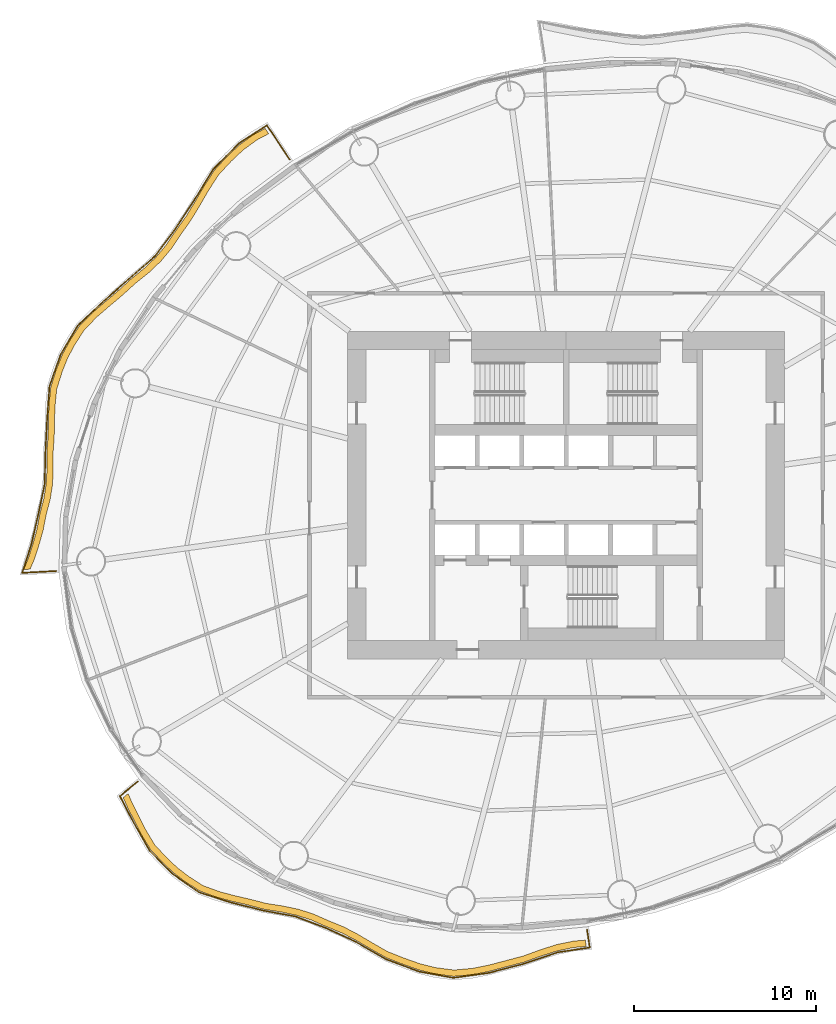
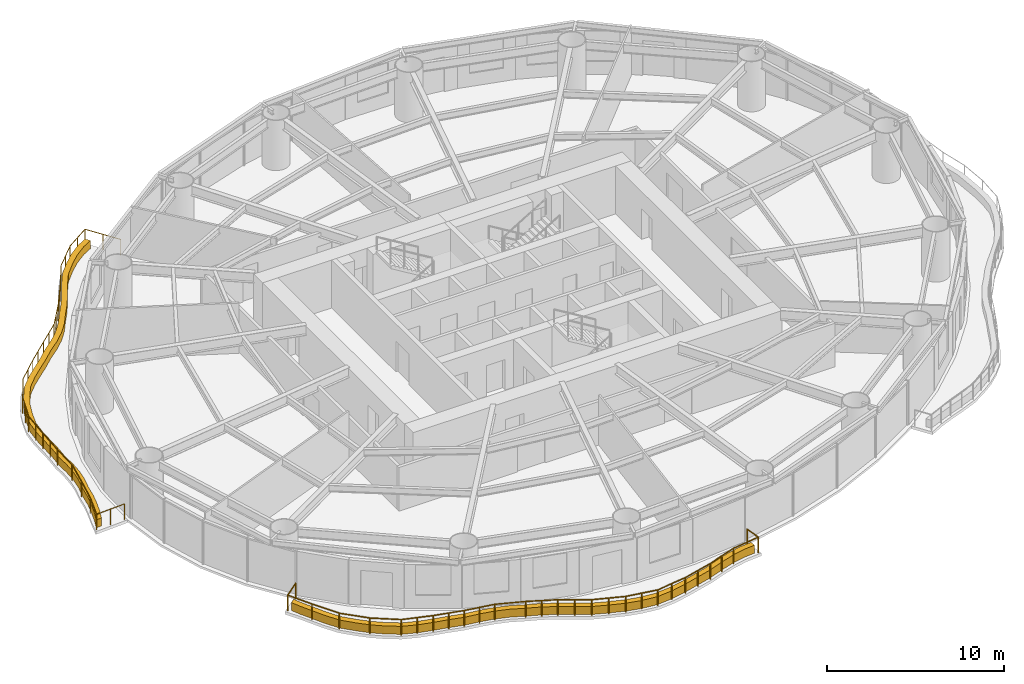
# One storey, part 12 of 14: 2 coverings, 2 railings.
"""IFC4 building model written with IfcOpenShell, lengths in metres."""

from ifc_helpers import new_model, si_unit, direction, frame, origin, origin_2d, place, context, subcontext, project, spatial, polyline, circle, outline, extrude, material, type_object, element, save


model = new_model("IFC4")

# Units and contexts
model_context = context("Model", 3, precision=1e-05, world=origin(), true_north=direction((0.0, 1.0)))
body_context = subcontext(model_context, "Body", "Model", "MODEL_VIEW")
ifc_project = project(units=[si_unit("LENGTHUNIT", "METRE"), si_unit("AREAUNIT", "SQUARE_METRE"), si_unit("VOLUMEUNIT", "CUBIC_METRE"), si_unit("PLANEANGLEUNIT", "RADIAN"), si_unit("MASSUNIT", "GRAM", prefix="KILO")], contexts=[model_context])

# Site, building, storey
site_placement = place(None, origin())
site = spatial("IfcSite", under=ifc_project, at=site_placement, CompositionType="ELEMENT")
building_placement = place(site_placement, origin())
building = spatial("IfcBuilding", under=site, at=building_placement, Name="Vermilion Reach Broadcast Tower", CompositionType="ELEMENT")
storey_placement = place(building_placement, frame((0.0, 0.0, 117.39990234375)))
storey = spatial("IfcBuildingStorey", under=building, at=storey_placement, Name="L27", CompositionType="ELEMENT", Elevation=117.39990234375)

# Coverings
ifc_material_1 = material(Name="Planting soil and greenery")
covering_type = type_object("IfcCoveringType", Name="Balcony PLANTER", PredefinedType="USERDEFINED", material=ifc_material_1)
placement = place(storey_placement, origin())
element("IfcCovering", 1, at=placement, inside=storey, type_object=covering_type, Name="PLANTER L27 group 2", ObjectType="PLANTER", PredefinedType="USERDEFINED", context=body_context, shape_type="SweptSolid", body=[
    extrude(outline(polyline([(-22.540283203125, 20.152099609375), (-23.204833984375, 19.799072265625), (-23.94384765625, 19.2568359375), (-24.617919921875, 18.62744140625), (-25.333984375, 17.851806640625), (-25.90771484375, 16.96826171875), (-26.37890625, 16.15185546875), (-26.8642578125, 15.350341796875), (-27.440185546875, 14.545654296875), (-27.97509765625, 13.7509765625), (-28.54296875, 13.073486328125), (-29.188232421875, 12.46142578125), (-29.952880859375, 11.842529296875), (-30.66943359375, 11.181396484375), (-31.361083984375, 10.60205078125), (-32.04150390625, 10.015380859375), (-32.7626953125, 9.279296875), (-33.30322265625, 8.442138671875), (-33.699951171875, 7.699462890625), (-34.0126953125, 6.916015625), (-34.3154296875, 5.958740234375), (-34.421875, 4.97119140625), (-34.44677734375, 4.116943359375), (-34.465576171875, 3.2607421875), (-34.53857421875, 2.322509765625), (-34.52880859375, 1.412841796875), (-34.5732421875, 0.608642578125), (-34.69873046875, -0.181396484375), (-34.921630859375, -1.039794921875), (-35.08447265625, -1.903564453125), (-35.301513671875, -2.681640625), (-35.55126953125, -3.459228515625), (-35.803955078125, -4.08642578125), (-35.45458984375, -4.06787109375), (-35.201416015625, -3.467529296875), (-34.95166015625, -2.690185546875), (-34.734619140625, -1.912109375), (-34.5732421875, -1.074462890625), (-34.353759765625, -0.24169921875), (-34.228515625, 0.54833984375), (-34.18408203125, 1.3525390625), (-34.198974609375, 2.238037109375), (-34.1328125, 3.15234375), (-34.114013671875, 4.00830078125), (-34.089111328125, 4.862548828125), (-33.99072265625, 5.827880859375), (-33.69775390625, 6.763427734375), (-33.384765625, 7.546875), (-32.988037109375, 8.289794921875), (-32.458251953125, 9.10693359375), (-31.74853515625, 9.823974609375), (-31.068115234375, 10.410400390625), (-30.37646484375, 10.98974609375), (-29.672119140625, 11.633544921875), (-28.920654296875, 12.235595703125), (-28.275634765625, 12.84765625), (-27.70751953125, 13.525146484375), (-27.1865234375, 14.3046875), (-26.625, 15.094970703125), (-26.1396484375, 15.896240234375), (-25.66845703125, 16.712646484375), (-25.109375, 17.583251953125), (-24.408935546875, 18.3466796875), (-23.73486328125, 18.97607421875), (-22.995849609375, 19.518310546875), (-22.346923828125, 19.8603515625), (-22.540283203125, 20.152099609375)])), origin(), (0.0, 0.0, 1.0), 0.550048828125),
])
element("IfcCovering", 2, at=placement, inside=storey, type_object=covering_type, Name="PLANTER L27 group 3", ObjectType="PLANTER", PredefinedType="USERDEFINED", context=body_context, shape_type="SweptSolid", body=[
    extrude(outline(polyline([(-30.33740234375, -16.623046875), (-30.08544921875, -17.192138671875), (-29.715576171875, -17.921875), (-29.34423828125, -18.649658203125), (-28.838134765625, -19.47705078125), (-28.169921875, -20.189453125), (-27.587158203125, -20.7431640625), (-26.953125, -21.230712890625), (-26.136474609375, -21.75634765625), (-25.197265625, -22.1025390625), (-24.37646484375, -22.318359375), (-23.542236328125, -22.510009765625), (-22.622802734375, -22.7548828125), (-21.66943359375, -22.908203125), (-20.833251953125, -23.08447265625), (-20.02880859375, -23.33935546875), (-19.19482421875, -23.706787109375), (-18.32275390625, -24.0595703125), (-17.537109375, -24.46923828125), (-16.76416015625, -24.926513671875), (-15.88134765625, -25.427001953125), (-14.92138671875, -25.801025390625), (-14.069580078125, -26.100830078125), (-13.206298828125, -26.314697265625), (-12.1884765625, -26.447265625), (-11.142333984375, -26.356201171875), (-10.2373046875, -26.174560546875), (-9.33154296875, -25.9345703125), (-8.3349609375, -25.676513671875), (-7.357421875, -25.324462890625), (-6.4638671875, -25.044189453125), (-5.561279296875, -24.85693359375), (-4.887939453125, -24.8017578125), (-4.941162109375, -24.455810546875), (-5.59521484375, -24.508544921875), (-6.497802734375, -24.69580078125), (-7.391357421875, -24.97607421875), (-8.34912109375, -25.326904296875), (-9.326171875, -25.584716796875), (-10.23193359375, -25.82470703125), (-11.136962890625, -26.006103515625), (-12.16259765625, -26.098388671875), (-13.16015625, -25.9677734375), (-14.0234375, -25.75390625), (-14.875244140625, -25.4541015625), (-15.814208984375, -25.083740234375), (-16.676025390625, -24.587890625), (-17.448974609375, -24.130615234375), (-18.234619140625, -23.720703125), (-19.085205078125, -23.374267578125), (-19.89794921875, -23.0146484375), (-20.70263671875, -22.759765625), (-21.538818359375, -22.58349609375), (-22.470458984375, -22.439697265625), (-23.368896484375, -22.205810546875), (-24.203125, -22.01416015625), (-25.02392578125, -21.798583984375), (-25.94189453125, -21.46533203125), (-26.738525390625, -20.954345703125), (-27.37255859375, -20.466552734375), (-27.955322265625, -19.9130859375), (-28.603515625, -19.21728515625), (-29.0908203125, -18.408203125), (-29.46240234375, -17.680419921875), (-29.83203125, -16.95068359375), (-30.066162109375, -16.40185546875), (-30.33740234375, -16.623046875)])), origin(), (0.0, 0.0, 1.0), 0.550048828125),
])

# Railings
ifc_material_2 = material(Name="Stainless steel 316 balustrade", Category="steel")
railing_type = type_object("IfcRailingType", Name="Balcony guard 1100", PredefinedType="BALUSTRADE", material=ifc_material_2)
railing_1_placement = place(storey_placement, frame((-21.1962890625, 18.448486328125, 0.0)))
element("IfcRailing", 3, at=railing_1_placement, inside=storey, type_object=railing_type, Name="Balcony guard L27 group 2", PredefinedType="BALUSTRADE", context=body_context, shape_type="SweptSolid", body=[
    extrude(circle(Radius=0.02490234375, at=origin_2d()), frame((0.0, 0.0, 1.0751953125), z_axis=(-0.552271461955, 0.833664340313, 0.0), x_axis=(-0.833664340313, -0.552271461955, 0.0)), (0.0, 0.0, 1.0), 2.25244140625),
    extrude(circle(Radius=0.02490234375, at=origin_2d()), frame((-1.243896484375, 1.877685546875, 1.0751953125), z_axis=(-0.839272401974, -0.54371116899, 0.0), x_axis=(0.54371116899, -0.839272401974, 0.0)), (0.0, 0.0, 1.0), 1.8486328125),
    extrude(circle(Radius=0.02490234375, at=origin_2d()), frame((-2.79541015625, 0.87255859375, 1.0751953125), z_axis=(-0.703523434162, -0.710672060507, 0.0), x_axis=(0.710672060507, -0.703523434162, 0.0)), (0.0, 0.0, 1.0), 1.980712890625),
    extrude(circle(Radius=0.02490234375, at=origin_2d()), frame((-4.18896484375, -0.53515625, 1.0751953125), z_axis=(-0.524192777597, -0.851599631233, 0.0), x_axis=(0.851599631233, -0.524192777597, 0.0)), (0.0, 0.0, 1.0), 2.0),
    extrude(circle(Radius=0.02490234375, at=origin_2d()), frame((-5.2373046875, -2.23828125, 1.0751953125), z_axis=(-0.551747854663, -0.834010974074, 0.0), x_axis=(0.834010974074, -0.551747854663, 0.0)), (0.0, 0.0, 1.0), 1.9296875),
    extrude(circle(Radius=0.02490234375, at=origin_2d()), frame((-6.302001953125, -3.84765625, 1.0751953125), z_axis=(-0.59959745636, -0.800301749546, 0.0), x_axis=(0.800301749546, -0.59959745636, 0.0)), (0.0, 0.0, 1.0), 1.843994140625),
    extrude(circle(Radius=0.02490234375, at=origin_2d()), frame((-7.40771484375, -5.323486328125, 1.0751953125), z_axis=(-0.753060075804, -0.657951762844, 0.0), x_axis=(0.657951762844, -0.753060075804, 0.0)), (0.0, 0.0, 1.0), 1.87646484375),
    extrude(circle(Radius=0.02490234375, at=origin_2d()), frame((-8.82080078125, -6.55810546875, 1.0751953125), z_axis=(-0.749909802137, -0.661540088475, 0.0), x_axis=(0.661540088475, -0.749909802137, 0.0)), (0.0, 0.0, 1.0), 1.88134765625),
    extrude(circle(Radius=0.02490234375, at=origin_2d()), frame((-10.231689453125, -7.802734375, 1.0751953125), z_axis=(-0.72691152589, -0.686731121712, 0.0), x_axis=(0.686731121712, -0.72691152589, 0.0)), (0.0, 0.0, 1.0), 1.93212890625),
    extrude(circle(Radius=0.02490234375, at=origin_2d()), frame((-11.63623046875, -9.129638671875, 1.0751953125), z_axis=(-0.509947687203, -0.860205415186, 0.0), x_axis=(0.860205415186, -0.509947687203, 0.0)), (0.0, 0.0, 1.0), 1.84228515625),
    extrude(circle(Radius=0.02490234375, at=origin_2d()), frame((-12.57568359375, -10.71435546875, 1.0751953125), z_axis=(-0.333620118177, -0.942707598754, 0.0), x_axis=(0.942707598754, -0.333620118177, 0.0)), (0.0, 0.0, 1.0), 1.851318359375),
    extrude(circle(Radius=0.02490234375, at=origin_2d()), frame((-13.193359375, -12.459716796875, 1.0751953125), z_axis=(-0.071856071542, -0.997415011408, 0.0), x_axis=(0.997415011408, -0.071856071542, 0.0)), (0.0, 0.0, 1.0), 1.851806640625),
    extrude(circle(Radius=0.02490234375, at=origin_2d()), frame((-13.326416015625, -14.306640625, 1.0751953125), z_axis=(-0.051883363666, -0.998653151287, 0.0), x_axis=(0.998653151287, -0.051883363666, 0.0)), (0.0, 0.0, 1.0), 1.80224609375),
    extrude(circle(Radius=0.02490234375, at=origin_2d()), frame((-13.419921875, -16.1064453125, 1.0751953125), z_axis=(-0.020864281747, -0.999782317181, 0.0), x_axis=(0.999782317181, -0.020864281747, 0.0)), (0.0, 0.0, 1.0), 1.72021484375),
    extrude(circle(Radius=0.02490234375, at=origin_2d()), frame((-13.455810546875, -17.826171875, 1.0751953125), z_axis=(-0.206490765298, -0.978448549412, 0.0), x_axis=(0.978448549412, -0.206490765298, 0.0)), (0.0, 0.0, 1.0), 1.690673828125),
    extrude(circle(Radius=0.02490234375, at=origin_2d()), frame((-13.804931640625, -19.48046875, 1.0751953125), z_axis=(-0.224901676972, -0.974381463132, 0.0), x_axis=(0.974381463132, -0.224901676972, 0.0)), (0.0, 0.0, 1.0), 1.691162109375),
    extrude(circle(Radius=0.02490234375, at=origin_2d()), frame((-14.185302734375, -21.12841796875, 1.0751953125), z_axis=(-0.303475297159, -0.952839306502, 0.0), x_axis=(0.952839306502, -0.303475297159, 0.0)), (0.0, 0.0, 1.0), 1.669189453125),
    extrude(circle(Radius=0.02490234375, at=origin_2d()), frame((-14.69189453125, -22.718994140625, 1.0751953125), z_axis=(0.998589578665, 0.053092875051, 0.0), x_axis=(-0.053092875051, 0.998589578665, 0.0)), (0.0, 0.0, 1.0), 1.87158203125),
    extrude(circle(Radius=0.02490234375, at=origin_2d()), origin(), (0.0, 0.0, 1.0), 1.050048828125),
    extrude(circle(Radius=0.02490234375, at=origin_2d()), frame((-0.6220703125, 0.93896484375, 0.0)), (0.0, 0.0, 1.0), 1.050048828125),
    extrude(circle(Radius=0.02490234375, at=origin_2d()), frame((-1.243896484375, 1.877685546875, 0.0)), (0.0, 0.0, 1.0), 1.050048828125),
    extrude(circle(Radius=0.02490234375, at=origin_2d()), frame((-2.01953125, 1.375, 0.0)), (0.0, 0.0, 1.0), 1.050048828125),
    extrude(circle(Radius=0.02490234375, at=origin_2d()), frame((-2.79541015625, 0.87255859375, 0.0)), (0.0, 0.0, 1.0), 1.050048828125),
    extrude(circle(Radius=0.02490234375, at=origin_2d()), frame((-3.4921875, 0.168701171875, 0.0)), (0.0, 0.0, 1.0), 1.050048828125),
    extrude(circle(Radius=0.02490234375, at=origin_2d()), frame((-4.18896484375, -0.53515625, 0.0)), (0.0, 0.0, 1.0), 1.050048828125),
    extrude(circle(Radius=0.02490234375, at=origin_2d()), frame((-4.713134765625, -1.38671875, 0.0)), (0.0, 0.0, 1.0), 1.050048828125),
    extrude(circle(Radius=0.02490234375, at=origin_2d()), frame((-5.2373046875, -2.23828125, 0.0)), (0.0, 0.0, 1.0), 1.050048828125),
    extrude(circle(Radius=0.02490234375, at=origin_2d()), frame((-5.76953125, -3.04296875, 0.0)), (0.0, 0.0, 1.0), 1.050048828125),
    extrude(circle(Radius=0.02490234375, at=origin_2d()), frame((-6.302001953125, -3.84765625, 0.0)), (0.0, 0.0, 1.0), 1.050048828125),
    extrude(circle(Radius=0.02490234375, at=origin_2d()), frame((-6.85498046875, -4.58544921875, 0.0)), (0.0, 0.0, 1.0), 1.050048828125),
    extrude(circle(Radius=0.02490234375, at=origin_2d()), frame((-7.40771484375, -5.323486328125, 0.0)), (0.0, 0.0, 1.0), 1.050048828125),
    extrude(circle(Radius=0.02490234375, at=origin_2d()), frame((-8.1142578125, -5.94091796875, 0.0)), (0.0, 0.0, 1.0), 1.050048828125),
    extrude(circle(Radius=0.02490234375, at=origin_2d()), frame((-8.82080078125, -6.55810546875, 0.0)), (0.0, 0.0, 1.0), 1.050048828125),
    extrude(circle(Radius=0.02490234375, at=origin_2d()), frame((-9.5263671875, -7.180419921875, 0.0)), (0.0, 0.0, 1.0), 1.050048828125),
    extrude(circle(Radius=0.02490234375, at=origin_2d()), frame((-10.231689453125, -7.802734375, 0.0)), (0.0, 0.0, 1.0), 1.050048828125),
    extrude(circle(Radius=0.02490234375, at=origin_2d()), frame((-10.93408203125, -8.46630859375, 0.0)), (0.0, 0.0, 1.0), 1.050048828125),
    extrude(circle(Radius=0.02490234375, at=origin_2d()), frame((-11.63623046875, -9.129638671875, 0.0)), (0.0, 0.0, 1.0), 1.050048828125),
    extrude(circle(Radius=0.02490234375, at=origin_2d()), frame((-12.10595703125, -9.921875, 0.0)), (0.0, 0.0, 1.0), 1.050048828125),
    extrude(circle(Radius=0.02490234375, at=origin_2d()), frame((-12.57568359375, -10.71435546875, 0.0)), (0.0, 0.0, 1.0), 1.050048828125),
    extrude(circle(Radius=0.02490234375, at=origin_2d()), frame((-12.884521484375, -11.5869140625, 0.0)), (0.0, 0.0, 1.0), 1.050048828125),
    extrude(circle(Radius=0.02490234375, at=origin_2d()), frame((-13.193359375, -12.459716796875, 0.0)), (0.0, 0.0, 1.0), 1.050048828125),
    extrude(circle(Radius=0.02490234375, at=origin_2d()), frame((-13.259765625, -13.38330078125, 0.0)), (0.0, 0.0, 1.0), 1.050048828125),
    extrude(circle(Radius=0.02490234375, at=origin_2d()), frame((-13.326416015625, -14.306640625, 0.0)), (0.0, 0.0, 1.0), 1.050048828125),
    extrude(circle(Radius=0.02490234375, at=origin_2d()), frame((-13.373046875, -15.20654296875, 0.0)), (0.0, 0.0, 1.0), 1.050048828125),
    extrude(circle(Radius=0.02490234375, at=origin_2d()), frame((-13.419921875, -16.1064453125, 0.0)), (0.0, 0.0, 1.0), 1.050048828125),
    extrude(circle(Radius=0.02490234375, at=origin_2d()), frame((-13.455810546875, -17.826171875, 0.0)), (0.0, 0.0, 1.0), 1.050048828125),
    extrude(circle(Radius=0.02490234375, at=origin_2d()), frame((-13.804931640625, -19.48046875, 0.0)), (0.0, 0.0, 1.0), 1.050048828125),
    extrude(circle(Radius=0.02490234375, at=origin_2d()), frame((-14.185302734375, -21.12841796875, 0.0)), (0.0, 0.0, 1.0), 1.050048828125),
    extrude(circle(Radius=0.02490234375, at=origin_2d()), frame((-14.69189453125, -22.718994140625, 0.0)), (0.0, 0.0, 1.0), 1.050048828125),
    extrude(circle(Radius=0.02490234375, at=origin_2d()), frame((-13.75732421875, -22.66943359375, 0.0)), (0.0, 0.0, 1.0), 1.050048828125),
    extrude(circle(Radius=0.02490234375, at=origin_2d()), frame((-12.822998046875, -22.61962890625, 0.0)), (0.0, 0.0, 1.0), 1.050048828125),
])
railing_2_placement = place(storey_placement, frame((-29.547607421875, -15.74755859375, 0.0)))
element("IfcRailing", 4, at=railing_2_placement, inside=storey, type_object=railing_type, Name="Balcony guard L27 group 3", PredefinedType="BALUSTRADE", context=body_context, shape_type="SweptSolid", body=[
    extrude(circle(Radius=0.02490234375, at=origin_2d()), frame((0.0, 0.0, 1.0751953125), z_axis=(-0.775027453857, -0.631927563703, 0.0), x_axis=(0.631927563703, -0.775027453857, 0.0)), (0.0, 0.0, 1.0), 1.259033203125),
    extrude(circle(Radius=0.02490234375, at=origin_2d()), frame((-0.975830078125, -0.795654296875, 1.0751953125), z_axis=(0.463375404679, -0.886162081303, 0.0), x_axis=(0.886162081303, 0.463375404679, 0.0)), (0.0, 0.0, 1.0), 1.617919921875),
    extrude(circle(Radius=0.02490234375, at=origin_2d()), frame((-0.22607421875, -2.2294921875, 1.0751953125), z_axis=(0.492259327043, -0.870448594082, 0.0), x_axis=(0.870448594082, 0.492259327043, 0.0)), (0.0, 0.0, 1.0), 1.79150390625),
    extrude(circle(Radius=0.02490234375, at=origin_2d()), frame((0.65576171875, -3.788818359375, 1.0751953125), z_axis=(0.70313089894, -0.711060432703, 0.0), x_axis=(0.711060432703, 0.70313089894, 0.0)), (0.0, 0.0, 1.0), 1.78564453125),
    extrude(circle(Radius=0.02490234375, at=origin_2d()), frame((1.911376953125, -5.05859375, 1.0751953125), z_axis=(0.819793630667, -0.572659063596, 0.0), x_axis=(0.572659063596, 0.819793630667, 0.0)), (0.0, 0.0, 1.0), 1.775146484375),
    extrude(circle(Radius=0.02490234375, at=origin_2d()), frame((3.36669921875, -6.0751953125, 1.0751953125), z_axis=(0.952396608452, -0.3048617723, 0.0), x_axis=(0.3048617723, 0.952396608452, 0.0)), (0.0, 0.0, 1.0), 1.85302734375),
    extrude(circle(Radius=0.02490234375, at=origin_2d()), frame((5.131591796875, -6.64013671875, 1.0751953125), z_axis=(0.970190026632, -0.242345439865, 0.0), x_axis=(0.242345439865, 0.970190026632, 0.0)), (0.0, 0.0, 1.0), 1.812255859375),
    extrude(circle(Radius=0.02490234375, at=origin_2d()), frame((6.889892578125, -7.079345703125, 1.0751953125), z_axis=(0.983332536324, -0.181816179165, 0.0), x_axis=(0.181816179165, 0.983332536324, 0.0)), (0.0, 0.0, 1.0), 1.824951171875),
    extrude(circle(Radius=0.02490234375, at=origin_2d()), frame((8.684326171875, -7.4111328125, 1.0751953125), z_axis=(0.934883146909, -0.354955633319, 0.0), x_axis=(0.354955633319, 0.934883146909, 0.0)), (0.0, 0.0, 1.0), 1.758056640625),
    extrude(circle(Radius=0.02490234375, at=origin_2d()), frame((10.327880859375, -8.03515625, 1.0751953125), z_axis=(0.908598840054, -0.417669902977, 0.0), x_axis=(0.417669902977, 0.908598840054, 0.0)), (0.0, 0.0, 1.0), 1.82958984375),
    extrude(circle(Radius=0.02490234375, at=origin_2d()), frame((11.990234375, -8.79931640625, 1.0751953125), z_axis=(0.866032930823, -0.499986962561, 0.0), x_axis=(0.499986962561, 0.866032930823, 0.0)), (0.0, 0.0, 1.0), 1.91748046875),
    extrude(circle(Radius=0.02490234375, at=origin_2d()), frame((13.65087890625, -9.758056640625, 1.0751953125), z_axis=(0.937458165046, -0.348097958611, 0.0), x_axis=(0.348097958611, 0.937458165046, 0.0)), (0.0, 0.0, 1.0), 1.937744140625),
    extrude(circle(Radius=0.02490234375, at=origin_2d()), frame((15.467529296875, -10.4326171875, 1.0751953125), z_axis=(0.983494951825, -0.180935567911, 0.0), x_axis=(0.180935567911, 0.983494951825, 0.0)), (0.0, 0.0, 1.0), 1.91748046875),
    extrude(circle(Radius=0.02490234375, at=origin_2d()), frame((17.353271484375, -10.779541015625, 1.0751953125), z_axis=(0.990433212274, 0.137992941935, 0.0), x_axis=(-0.137992941935, 0.990433212274, 0.0)), (0.0, 0.0, 1.0), 1.974365234375),
    extrude(circle(Radius=0.02490234375, at=origin_2d()), frame((19.308837890625, -10.507080078125, 1.0751953125), z_axis=(0.967554109039, 0.252663899442, 0.0), x_axis=(-0.252663899442, 0.967554109039, 0.0)), (0.0, 0.0, 1.0), 1.97119140625),
    extrude(circle(Radius=0.02490234375, at=origin_2d()), frame((21.216064453125, -10.009033203125, 1.0751953125), z_axis=(0.947517501659, 0.319703900586, 0.0), x_axis=(-0.319703900586, 0.947517501659, 0.0)), (0.0, 0.0, 1.0), 1.9794921875),
    extrude(circle(Radius=0.02490234375, at=origin_2d()), frame((23.091552734375, -9.376220703125, 1.0751953125), z_axis=(0.989214515365, 0.146474033846, 0.0), x_axis=(-0.146474033846, 0.989214515365, 0.0)), (0.0, 0.0, 1.0), 1.778564453125),
    extrude(circle(Radius=0.02490234375, at=origin_2d()), frame((24.850830078125, -9.11572265625, 1.0751953125), z_axis=(-0.151654098619, 0.98843362669, 0.0), x_axis=(-0.98843362669, -0.151654098619, 0.0)), (0.0, 0.0, 1.0), 1.001220703125),
    extrude(circle(Radius=0.02490234375, at=origin_2d()), origin(), (0.0, 0.0, 1.0), 1.050048828125),
    extrude(circle(Radius=0.02490234375, at=origin_2d()), frame((-0.975830078125, -0.795654296875, 0.0)), (0.0, 0.0, 1.0), 1.050048828125),
    extrude(circle(Radius=0.02490234375, at=origin_2d()), frame((-0.22607421875, -2.2294921875, 0.0)), (0.0, 0.0, 1.0), 1.050048828125),
    extrude(circle(Radius=0.02490234375, at=origin_2d()), frame((0.65576171875, -3.788818359375, 0.0)), (0.0, 0.0, 1.0), 1.050048828125),
    extrude(circle(Radius=0.02490234375, at=origin_2d()), frame((1.911376953125, -5.05859375, 0.0)), (0.0, 0.0, 1.0), 1.050048828125),
    extrude(circle(Radius=0.02490234375, at=origin_2d()), frame((3.36669921875, -6.0751953125, 0.0)), (0.0, 0.0, 1.0), 1.050048828125),
    extrude(circle(Radius=0.02490234375, at=origin_2d()), frame((4.2490234375, -6.357666015625, 0.0)), (0.0, 0.0, 1.0), 1.050048828125),
    extrude(circle(Radius=0.02490234375, at=origin_2d()), frame((5.131591796875, -6.64013671875, 0.0)), (0.0, 0.0, 1.0), 1.050048828125),
    extrude(circle(Radius=0.02490234375, at=origin_2d()), frame((6.0107421875, -6.85986328125, 0.0)), (0.0, 0.0, 1.0), 1.050048828125),
    extrude(circle(Radius=0.02490234375, at=origin_2d()), frame((6.889892578125, -7.079345703125, 0.0)), (0.0, 0.0, 1.0), 1.050048828125),
    extrude(circle(Radius=0.02490234375, at=origin_2d()), frame((7.787109375, -7.2451171875, 0.0)), (0.0, 0.0, 1.0), 1.050048828125),
    extrude(circle(Radius=0.02490234375, at=origin_2d()), frame((8.684326171875, -7.4111328125, 0.0)), (0.0, 0.0, 1.0), 1.050048828125),
    extrude(circle(Radius=0.02490234375, at=origin_2d()), frame((10.327880859375, -8.03515625, 0.0)), (0.0, 0.0, 1.0), 1.050048828125),
    extrude(circle(Radius=0.02490234375, at=origin_2d()), frame((11.1591796875, -8.417236328125, 0.0)), (0.0, 0.0, 1.0), 1.050048828125),
    extrude(circle(Radius=0.02490234375, at=origin_2d()), frame((11.990234375, -8.79931640625, 0.0)), (0.0, 0.0, 1.0), 1.050048828125),
    extrude(circle(Radius=0.02490234375, at=origin_2d()), frame((12.820556640625, -9.27880859375, 0.0)), (0.0, 0.0, 1.0), 1.050048828125),
    extrude(circle(Radius=0.02490234375, at=origin_2d()), frame((13.65087890625, -9.758056640625, 0.0)), (0.0, 0.0, 1.0), 1.050048828125),
    extrude(circle(Radius=0.02490234375, at=origin_2d()), frame((14.55908203125, -10.09521484375, 0.0)), (0.0, 0.0, 1.0), 1.050048828125),
    extrude(circle(Radius=0.02490234375, at=origin_2d()), frame((15.467529296875, -10.4326171875, 0.0)), (0.0, 0.0, 1.0), 1.050048828125),
    extrude(circle(Radius=0.02490234375, at=origin_2d()), frame((16.410400390625, -10.60595703125, 0.0)), (0.0, 0.0, 1.0), 1.050048828125),
    extrude(circle(Radius=0.02490234375, at=origin_2d()), frame((17.353271484375, -10.779541015625, 0.0)), (0.0, 0.0, 1.0), 1.050048828125),
    extrude(circle(Radius=0.02490234375, at=origin_2d()), frame((18.3310546875, -10.643310546875, 0.0)), (0.0, 0.0, 1.0), 1.050048828125),
    extrude(circle(Radius=0.02490234375, at=origin_2d()), frame((19.308837890625, -10.507080078125, 0.0)), (0.0, 0.0, 1.0), 1.050048828125),
    extrude(circle(Radius=0.02490234375, at=origin_2d()), frame((20.262451171875, -10.258056640625, 0.0)), (0.0, 0.0, 1.0), 1.050048828125),
    extrude(circle(Radius=0.02490234375, at=origin_2d()), frame((21.216064453125, -10.009033203125, 0.0)), (0.0, 0.0, 1.0), 1.050048828125),
    extrude(circle(Radius=0.02490234375, at=origin_2d()), frame((22.15380859375, -9.692626953125, 0.0)), (0.0, 0.0, 1.0), 1.050048828125),
    extrude(circle(Radius=0.02490234375, at=origin_2d()), frame((23.091552734375, -9.376220703125, 0.0)), (0.0, 0.0, 1.0), 1.050048828125),
    extrude(circle(Radius=0.02490234375, at=origin_2d()), frame((24.850830078125, -9.11572265625, 0.0)), (0.0, 0.0, 1.0), 1.050048828125),
    extrude(circle(Radius=0.02490234375, at=origin_2d()), frame((24.698974609375, -8.1259765625, 0.0)), (0.0, 0.0, 1.0), 1.050048828125),
])

save(model, "model.ifc")
